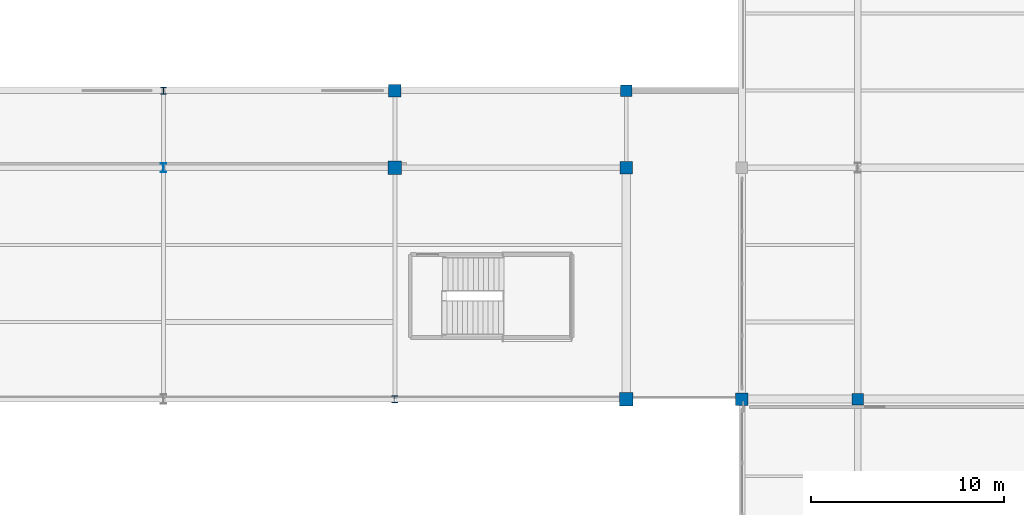
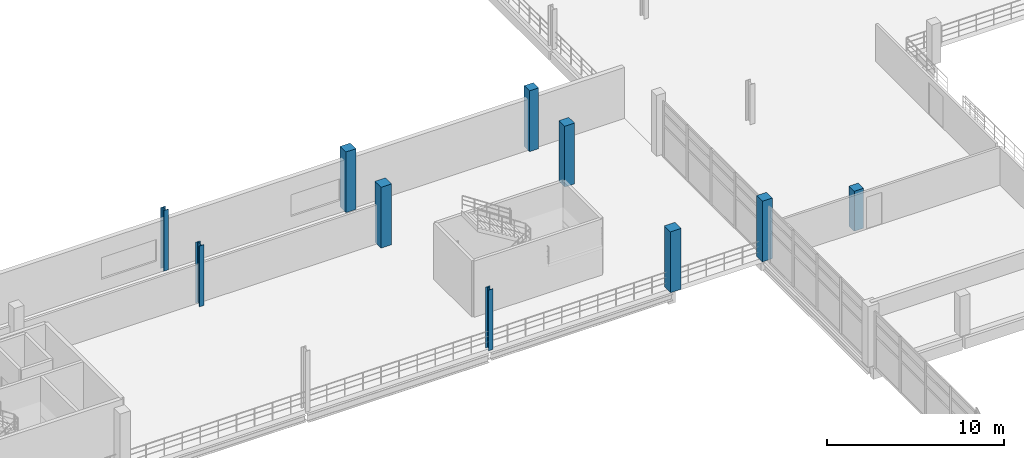
# One storey, part 18 of 89: 10 columns.
"""IFC4 building model written with IfcOpenShell, lengths in metres."""

from ifc_helpers import new_model, si_unit, direction, frame, origin, origin_2d, place, context, subcontext, project, spatial, rectangle, i_section, extrude, material, material_profile, profile_set, type_object, element, save


model = new_model("IFC4")

# Units and contexts
model_context = context("Model", 3, precision=1e-05, world=origin(), true_north=direction((0.0, 1.0)))
body_context = subcontext(model_context, "Body", "Model", "MODEL_VIEW")
ifc_project = project(units=[si_unit("LENGTHUNIT", "METRE"), si_unit("AREAUNIT", "SQUARE_METRE"), si_unit("VOLUMEUNIT", "CUBIC_METRE"), si_unit("PLANEANGLEUNIT", "RADIAN"), si_unit("MASSUNIT", "GRAM", prefix="KILO"), si_unit("THERMODYNAMICTEMPERATUREUNIT", "KELVIN"), si_unit("POWERUNIT", "WATT")], contexts=[model_context])

# Site, building, storey
site_placement = place(None, origin())
site = spatial("IfcSite", under=ifc_project, at=site_placement, CompositionType="ELEMENT")
building_placement = place(site_placement, origin())
building = spatial("IfcBuilding", under=site, at=building_placement, Name="Solmara Park Aquatics Centre", CompositionType="ELEMENT")
storey_placement = place(building_placement, frame((0.0, 0.0, 5.39990234375)))
storey = spatial("IfcBuildingStorey", under=building, at=storey_placement, Name="L01", CompositionType="ELEMENT", Elevation=5.39990234375)

# Columns
ifc_material_1 = material(Name="Structural Steel S355", Category="steel")
ifc_material_profile_1 = material_profile(ifc_material_1, i_section(OverallWidth=0.300048828125, OverallDepth=0.449951171875, WebThickness=0.013916015625, FlangeThickness=0.02587890625, FilletRadius=0.027099609375, at=origin_2d()), Name="HEB 450")
ifc_profile_set_1 = profile_set([ifc_material_profile_1], Name="Structural Steel S355")
column_type_1 = type_object("IfcColumnType", Name="STR-COL-HEB450", PredefinedType="COLUMN", material=ifc_profile_set_1)
column_1_placement = place(storey_placement, frame((132.0, 48.60009765625, 0.0), z_axis=(0.0, 0.0, 1.0), x_axis=(1.0, 0.0, 0.0)))
element("IfcColumn", 1, at=column_1_placement, inside=storey, type_object=column_type_1, Name="Column L01-0419", PredefinedType="COLUMN", context=body_context, shape_type="SweptSolid", body=[
    extrude(i_section(OverallWidth=0.300048828125, OverallDepth=0.449951171875, WebThickness=0.013916015625, FlangeThickness=0.02587890625, FilletRadius=0.027099609375, at=origin_2d()), origin(), (0.0, 0.0, 1.0), 4.2001953125),
])
ifc_material_2 = material(Name="Concrete C40/50", Category="concrete")
ifc_material_profile_2 = material_profile(ifc_material_2, rectangle(XDim=0.60009765625, YDim=0.60009765625, at=origin_2d()), Name="RC 600x600")
ifc_profile_set_2 = profile_set([ifc_material_profile_2], Name="Concrete C40/50")
column_type_2 = type_object("IfcColumnType", Name="STR-COL-RC600", PredefinedType="COLUMN", material=ifc_profile_set_2)
column_2_placement = place(storey_placement, frame((156.0, 52.60009765625, 0.0), z_axis=(0.0, 0.0, 1.0), x_axis=(1.0, 0.0, 0.0)))
element("IfcColumn", 2, at=column_2_placement, inside=storey, type_object=column_type_2, Name="Column L01-0435", PredefinedType="COLUMN", context=body_context, shape_type="SweptSolid", body=[
    extrude(rectangle(XDim=0.60009765625, YDim=0.60009765625, at=origin_2d()), origin(), (0.0, 0.0, 1.0), 4.2001953125),
])
column_3_placement = place(storey_placement, frame((168.0, 36.60009765625, 0.0), z_axis=(0.0, 0.0, 1.0), x_axis=(1.0, 0.0, 0.0)))
element("IfcColumn", 3, at=column_3_placement, inside=storey, type_object=column_type_2, Name="Column L01-0447", PredefinedType="COLUMN", context=body_context, shape_type="SweptSolid", body=[
    extrude(rectangle(XDim=0.60009765625, YDim=0.60009765625, at=origin_2d()), origin(), (0.0, 0.0, 1.0), 2.760009765625),
])
ifc_material_profile_3 = material_profile(ifc_material_2, rectangle(XDim=0.64990234375, YDim=0.64990234375, at=origin_2d()), Name="RC 650x650")
ifc_profile_set_3 = profile_set([ifc_material_profile_3], Name="Concrete C40/50")
column_type_3 = type_object("IfcColumnType", Name="STR-COL-RC650", PredefinedType="COLUMN", material=ifc_profile_set_3)
for number, where, z_axis, x_axis, name in (
    (4, (144.0, 52.60009765625, 0.0), (0.0, 0.0, 1.0), (1.0, 0.0, 0.0), "Column L01-0428"),
    (5, (156.0, 48.60009765625, 0.0), (0.0, 0.0, 1.0), (1.0, 0.0, 0.0), "Column L01-0434"),
    (6, (162.0, 36.60009765625, 0.0), (0.0, 0.0, 1.0), (1.0, 0.0, 0.0), "Column L01-0440"),
):
    element("IfcColumn", number, at=place(storey_placement, frame(where, z_axis=z_axis, x_axis=x_axis)), inside=storey, type_object=column_type_3, Name=name, PredefinedType="COLUMN", context=body_context, shape_type="SweptSolid", body=[
        extrude(rectangle(XDim=0.64990234375, YDim=0.64990234375, at=origin_2d()), origin(), (0.0, 0.0, 1.0), 4.2001953125),
    ])
ifc_material_profile_4 = material_profile(ifc_material_2, rectangle(XDim=0.699951171875, YDim=0.699951171875, at=origin_2d()), Name="RC 700x700")
ifc_profile_set_4 = profile_set([ifc_material_profile_4], Name="Concrete C40/50")
column_type_4 = type_object("IfcColumnType", Name="STR-COL-RC700", PredefinedType="COLUMN", material=ifc_profile_set_4)
for number, where, z_axis, x_axis, name in (
    (7, (144.0, 48.60009765625, 0.0), (0.0, 0.0, 1.0), (1.0, 0.0, 0.0), "Column L01-0427"),
    (8, (156.0, 36.60009765625, 0.0), (0.0, 0.0, 1.0), (1.0, 0.0, 0.0), "Column L01-0433"),
):
    element("IfcColumn", number, at=place(storey_placement, frame(where, z_axis=z_axis, x_axis=x_axis)), inside=storey, type_object=column_type_4, Name=name, PredefinedType="COLUMN", context=body_context, shape_type="SweptSolid", body=[
        extrude(rectangle(XDim=0.699951171875, YDim=0.699951171875, at=origin_2d()), origin(), (0.0, 0.0, 1.0), 4.2001953125),
    ])
ifc_material_profile_5 = material_profile(ifc_material_1, i_section(OverallWidth=0.300048828125, OverallDepth=0.360107421875, WebThickness=0.012451171875, FlangeThickness=0.0224609375, FilletRadius=0.027099609375, at=origin_2d()), Name="HEB 360")
ifc_profile_set_5 = profile_set([ifc_material_profile_5], Name="Structural Steel S355")
column_type_5 = type_object("IfcColumnType", Name="STR-PIL-HEB360", PredefinedType="PILASTER", material=ifc_profile_set_5)
for number, where, z_axis, x_axis, name in (
    (9, (132.0, 52.60009765625, 0.0), (0.0, 0.0, 1.0), (1.0, 0.0, 0.0), "Column L01-0420"),
    (10, (144.0, 36.60009765625, 0.0), (0.0, 0.0, 1.0), (1.0, 0.0, 0.0), "Column L01-0426"),
):
    element("IfcColumn", number, at=place(storey_placement, frame(where, z_axis=z_axis, x_axis=x_axis)), inside=storey, type_object=column_type_5, Name=name, PredefinedType="PILASTER", context=body_context, shape_type="SweptSolid", body=[
        extrude(i_section(OverallWidth=0.300048828125, OverallDepth=0.360107421875, WebThickness=0.012451171875, FlangeThickness=0.0224609375, FilletRadius=0.027099609375, at=origin_2d()), origin(), (0.0, 0.0, 1.0), 4.2001953125),
    ])

save(model, "model.ifc")
